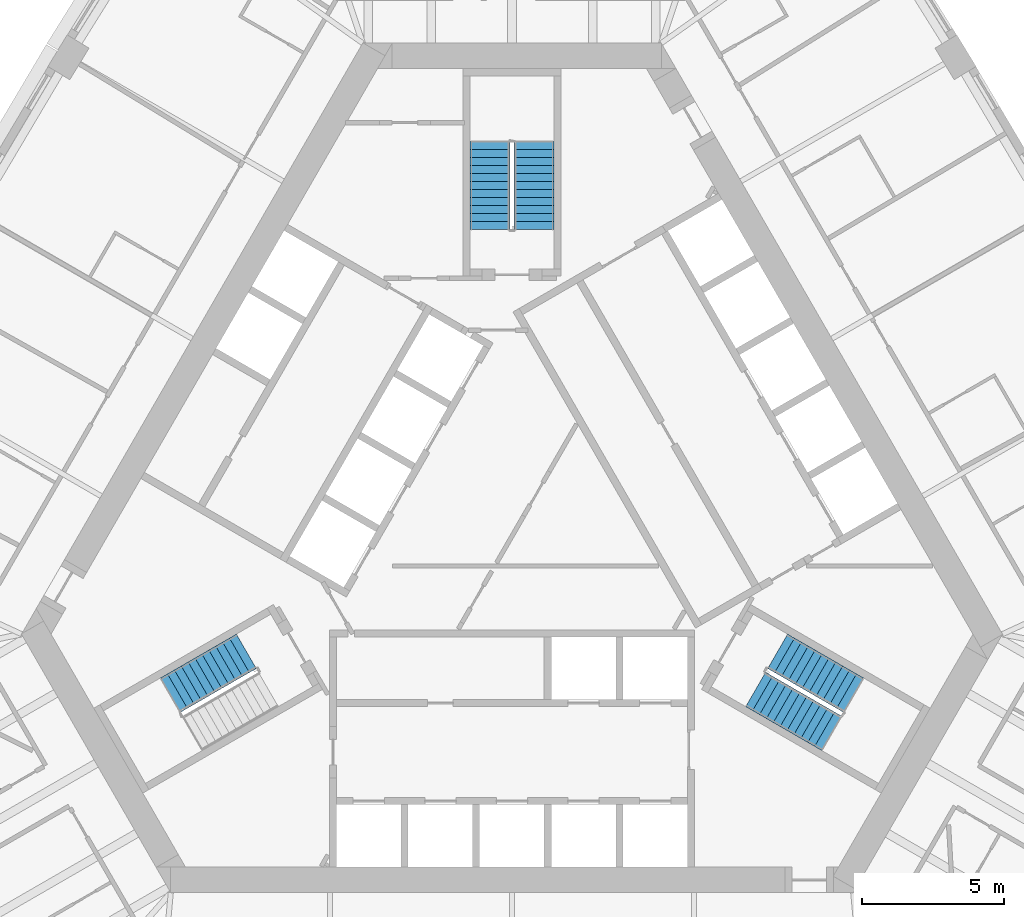
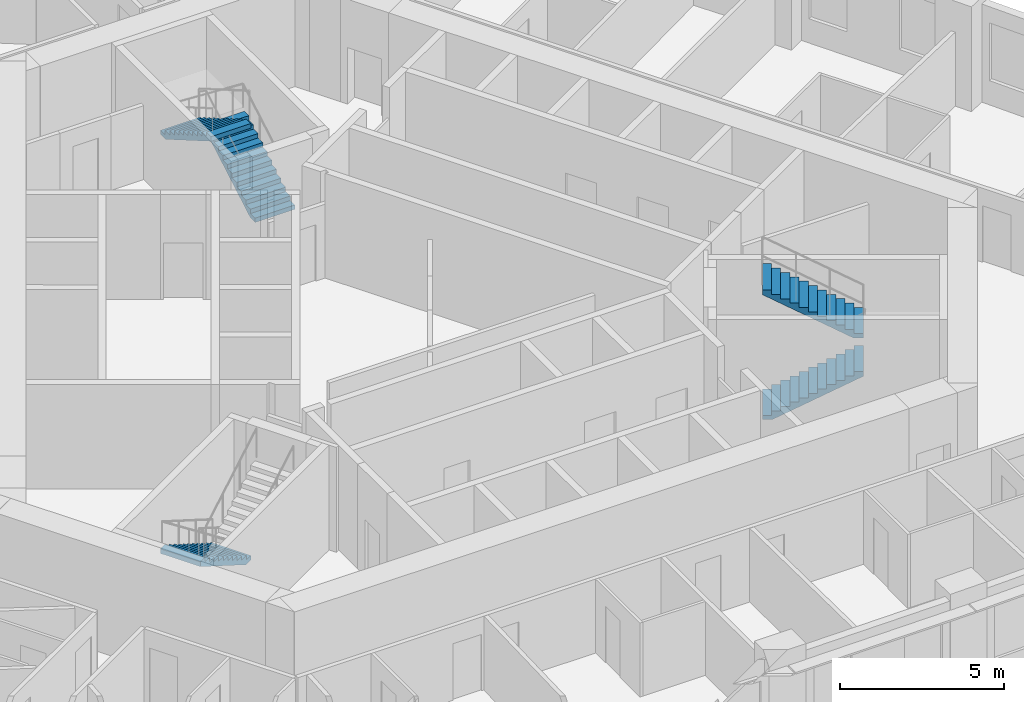
# One storey, part 12 of 13: 5 stair flights, 3 elements without a shape of their own.
"""IFC4 building model written with IfcOpenShell, lengths in metres."""

from ifc_helpers import new_model, si_unit, direction, frame, origin, place, context, subcontext, project, spatial, polyline, outline, extrude, material, type_object, element, aggregate, save


model = new_model("IFC4")

# Units and contexts
model_context = context("Model", 3, precision=1e-05, world=origin(), true_north=direction((0.0, 1.0)))
body_context = subcontext(model_context, "Body", "Model", "MODEL_VIEW")
ifc_project = project(units=[si_unit("LENGTHUNIT", "METRE"), si_unit("AREAUNIT", "SQUARE_METRE"), si_unit("VOLUMEUNIT", "CUBIC_METRE"), si_unit("PLANEANGLEUNIT", "RADIAN"), si_unit("MASSUNIT", "GRAM", prefix="KILO")], contexts=[model_context])

# Site, building, storey
site_placement = place(None, origin())
site = spatial("IfcSite", under=ifc_project, at=site_placement, CompositionType="ELEMENT")
building_placement = place(site_placement, origin())
building = spatial("IfcBuilding", under=site, at=building_placement, Name="Mestral Congress Tower", CompositionType="ELEMENT")
storey_placement = place(building_placement, frame((0.0, 0.0, 91.5)))
storey = spatial("IfcBuildingStorey", under=building, at=storey_placement, Name="L21", CompositionType="ELEMENT", Elevation=91.5)

# Stair, stair flights
ifc_material = material(Name="Concrete C60/75", Category="concrete")
stair_type = type_object("IfcStairType", Name="Exit stair 1400", PredefinedType="HALF_TURN_STAIR", material=ifc_material)
placement = place(storey_placement, origin())
stair_1 = element("IfcStair", 1, at=placement, inside=storey, type_object=stair_type, Name="L21 ST1", PredefinedType="HALF_TURN_STAIR")
stair_flight_type = type_object("IfcStairFlightType", Name="Exit stair flight 1400", PredefinedType="STRAIGHT", material=ifc_material)
stair_flight_1_placement = place(storey_placement, frame((8.575927734375, -5.84619140625, 0.0), z_axis=(0.0, 0.0, 1.0), x_axis=(0.866025403784, -0.5, 0.0)))
stair_flight_1 = element("IfcStairFlight", 2, at=stair_flight_1_placement, type_object=stair_flight_type, Name="ST1 flight 1", NumberOfRisers=12, NumberOfTreads=11, PredefinedType="STRAIGHT", RiserHeight=0.1625, TreadLength=0.28, context=body_context, shape_type="SweptSolid", body=[
    extrude(outline(polyline([(0.0, 0.0), (0.0, 0.16259765625), (0.280029296875, 0.16259765625), (0.280029296875, 0.324951171875), (0.56005859375, 0.324951171875), (0.56005859375, 0.487548828125), (0.840087890625, 0.487548828125), (0.840087890625, 0.64990234375), (1.1201171875, 0.64990234375), (1.1201171875, 0.8125), (1.39990234375, 0.8125), (1.39990234375, 0.97509765625), (1.679931640625, 0.97509765625), (1.679931640625, 1.137451171875), (1.9599609375, 1.137451171875), (1.9599609375, 1.300048828125), (2.239990234375, 1.300048828125), (2.239990234375, 1.46240234375), (2.52001953125, 1.46240234375), (2.52001953125, 1.625), (2.800048828125, 1.625), (2.800048828125, 1.78759765625), (3.080078125, 1.78759765625), (3.080078125, 1.949951171875), (3.080078125, 1.6142578125), (0.298583984375, 0.0), (0.0, 0.0)])), frame((0.0, 0.699951171875, 0.0), z_axis=(0.0, -1.0, 0.0), x_axis=(1.0, 0.0, 0.0)), (0.0, 0.0, 1.0), 1.39990234375),
])
stair_flight_2_placement = place(storey_placement, frame((12.018310546875, -6.0439453125, 1.949951171875), z_axis=(0.0, 0.0, 1.0), x_axis=(-0.866025403784, 0.5, 0.0)))
stair_flight_2 = element("IfcStairFlight", 3, at=stair_flight_2_placement, type_object=stair_flight_type, Name="ST1 flight 2", NumberOfRisers=12, NumberOfTreads=11, PredefinedType="STRAIGHT", RiserHeight=0.1625, TreadLength=0.28, context=body_context, shape_type="SweptSolid", body=[
    extrude(outline(polyline([(0.0, 0.0), (0.0, 0.16259765625), (0.280029296875, 0.16259765625), (0.280029296875, 0.324951171875), (0.56005859375, 0.324951171875), (0.56005859375, 0.487548828125), (0.840087890625, 0.487548828125), (0.840087890625, 0.64990234375), (1.1201171875, 0.64990234375), (1.1201171875, 0.8125), (1.39990234375, 0.8125), (1.39990234375, 0.97509765625), (1.679931640625, 0.97509765625), (1.679931640625, 1.137451171875), (1.9599609375, 1.137451171875), (1.9599609375, 1.300048828125), (2.239990234375, 1.300048828125), (2.239990234375, 1.46240234375), (2.52001953125, 1.46240234375), (2.52001953125, 1.625), (2.800048828125, 1.625), (2.800048828125, 1.78759765625), (3.080078125, 1.78759765625), (3.080078125, 1.949951171875), (3.080078125, 1.6142578125), (0.298583984375, 0.0), (0.0, 0.0)])), frame((0.0, 0.699951171875, 0.0), z_axis=(0.0, -1.0, 0.0), x_axis=(1.0, 0.0, 0.0)), (0.0, 0.0, 1.0), 1.39990234375),
])
aggregate(stair_1, [stair_flight_1, stair_flight_2])

stair_2 = element("IfcStair", 4, at=placement, inside=storey, type_object=stair_type, Name="L21 ST2", PredefinedType="HALF_TURN_STAIR")
stair_flight_3_placement = place(storey_placement, frame((0.77490234375, 10.35009765625, 0.0), z_axis=(0.0, 0.0, 1.0), x_axis=(0.0, 1.0, 0.0)))
stair_flight_3 = element("IfcStairFlight", 5, at=stair_flight_3_placement, type_object=stair_flight_type, Name="ST2 flight 1", NumberOfRisers=12, NumberOfTreads=11, PredefinedType="STRAIGHT", RiserHeight=0.1625, TreadLength=0.28, context=body_context, shape_type="SweptSolid", body=[
    extrude(outline(polyline([(0.0, 0.0), (0.0, 0.16259765625), (0.280029296875, 0.16259765625), (0.280029296875, 0.324951171875), (0.56005859375, 0.324951171875), (0.56005859375, 0.487548828125), (0.840087890625, 0.487548828125), (0.840087890625, 0.64990234375), (1.1201171875, 0.64990234375), (1.1201171875, 0.8125), (1.39990234375, 0.8125), (1.39990234375, 0.97509765625), (1.679931640625, 0.97509765625), (1.679931640625, 1.137451171875), (1.9599609375, 1.137451171875), (1.9599609375, 1.300048828125), (2.239990234375, 1.300048828125), (2.239990234375, 1.46240234375), (2.52001953125, 1.46240234375), (2.52001953125, 1.625), (2.800048828125, 1.625), (2.800048828125, 1.78759765625), (3.080078125, 1.78759765625), (3.080078125, 1.949951171875), (3.080078125, 1.6142578125), (0.298583984375, 0.0), (0.0, 0.0)])), frame((0.0, 0.699951171875, 0.0), z_axis=(0.0, -1.0, 0.0), x_axis=(1.0, 0.0, 0.0)), (0.0, 0.0, 1.0), 1.39990234375),
])
stair_flight_4_placement = place(storey_placement, frame((-0.77490234375, 13.429931640625, 1.949951171875), z_axis=(0.0, 0.0, 1.0), x_axis=(0.0, -1.0, 0.0)))
stair_flight_4 = element("IfcStairFlight", 6, at=stair_flight_4_placement, type_object=stair_flight_type, Name="ST2 flight 2", NumberOfRisers=12, NumberOfTreads=11, PredefinedType="STRAIGHT", RiserHeight=0.1625, TreadLength=0.28, context=body_context, shape_type="SweptSolid", body=[
    extrude(outline(polyline([(0.0, 0.0), (0.0, 0.16259765625), (0.280029296875, 0.16259765625), (0.280029296875, 0.324951171875), (0.56005859375, 0.324951171875), (0.56005859375, 0.487548828125), (0.840087890625, 0.487548828125), (0.840087890625, 0.64990234375), (1.1201171875, 0.64990234375), (1.1201171875, 0.8125), (1.39990234375, 0.8125), (1.39990234375, 0.97509765625), (1.679931640625, 0.97509765625), (1.679931640625, 1.137451171875), (1.9599609375, 1.137451171875), (1.9599609375, 1.300048828125), (2.239990234375, 1.300048828125), (2.239990234375, 1.46240234375), (2.52001953125, 1.46240234375), (2.52001953125, 1.625), (2.800048828125, 1.625), (2.800048828125, 1.78759765625), (3.080078125, 1.78759765625), (3.080078125, 1.949951171875), (3.080078125, 1.6142578125), (0.298583984375, 0.0), (0.0, 0.0)])), frame((0.0, 0.699951171875, 0.0), z_axis=(0.0, -1.0, 0.0), x_axis=(1.0, 0.0, 0.0)), (0.0, 0.0, 1.0), 1.39990234375),
])
aggregate(stair_2, [stair_flight_3, stair_flight_4])

# Stair, stair flight
stair_3 = element("IfcStair", 7, at=placement, inside=storey, type_object=stair_type, Name="L21 ST3", PredefinedType="HALF_TURN_STAIR")
stair_flight_5_placement = place(storey_placement, frame((-9.350830078125, -4.50390625, 0.0), z_axis=(0.0, 0.0, 1.0), x_axis=(-0.866025403784, -0.5, 0.0)))
stair_flight_5 = element("IfcStairFlight", 8, at=stair_flight_5_placement, type_object=stair_flight_type, Name="ST3 flight 1", NumberOfRisers=12, NumberOfTreads=11, PredefinedType="STRAIGHT", RiserHeight=0.1625, TreadLength=0.28, context=body_context, shape_type="SweptSolid", body=[
    extrude(outline(polyline([(0.0, 0.0), (0.0, 0.16259765625), (0.280029296875, 0.16259765625), (0.280029296875, 0.324951171875), (0.56005859375, 0.324951171875), (0.56005859375, 0.487548828125), (0.840087890625, 0.487548828125), (0.840087890625, 0.64990234375), (1.1201171875, 0.64990234375), (1.1201171875, 0.8125), (1.39990234375, 0.8125), (1.39990234375, 0.97509765625), (1.679931640625, 0.97509765625), (1.679931640625, 1.137451171875), (1.9599609375, 1.137451171875), (1.9599609375, 1.300048828125), (2.239990234375, 1.300048828125), (2.239990234375, 1.46240234375), (2.52001953125, 1.46240234375), (2.52001953125, 1.625), (2.800048828125, 1.625), (2.800048828125, 1.78759765625), (3.080078125, 1.78759765625), (3.080078125, 1.949951171875), (3.080078125, 1.6142578125), (0.298583984375, 0.0), (0.0, 0.0)])), frame((0.0, 0.699951171875, 0.0), z_axis=(0.0, -1.0, 0.0), x_axis=(1.0, 0.0, 0.0)), (0.0, 0.0, 1.0), 1.39990234375),
])
aggregate(stair_3, [stair_flight_5])

save(model, "model.ifc")
